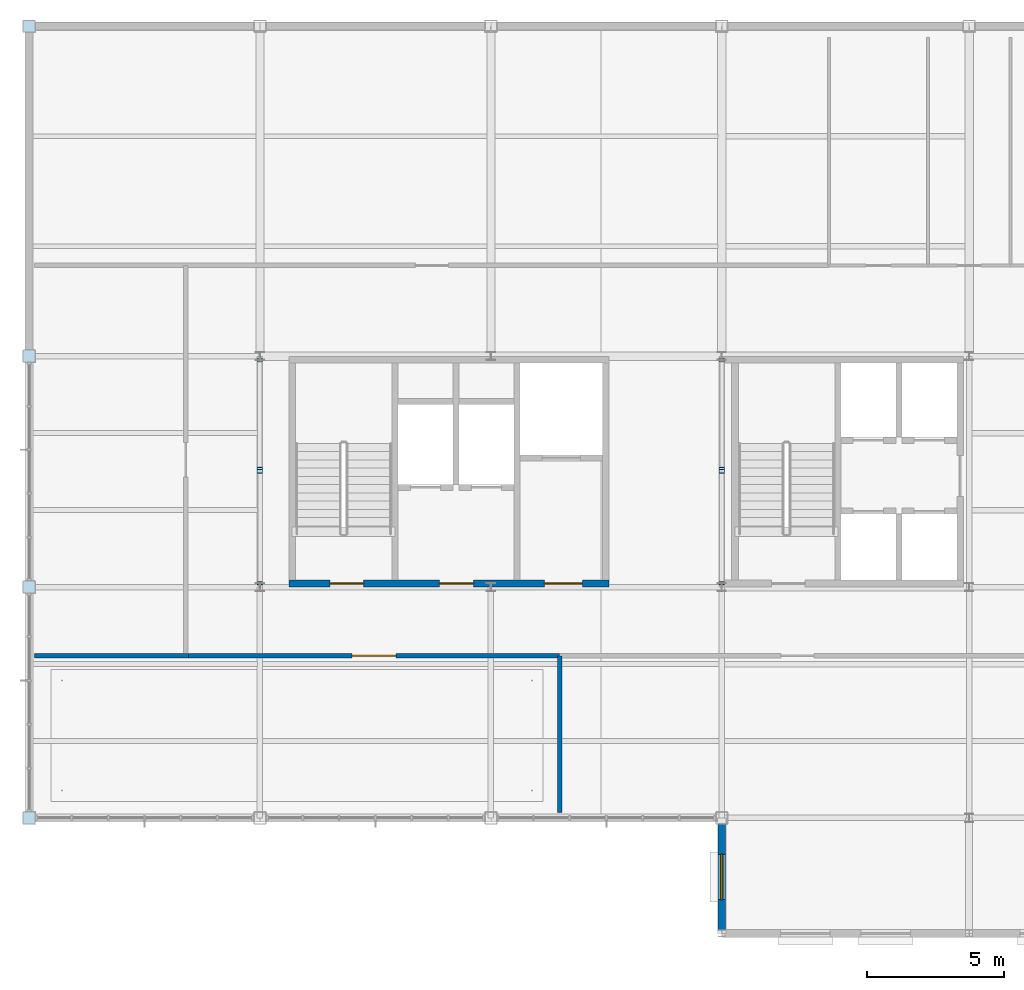
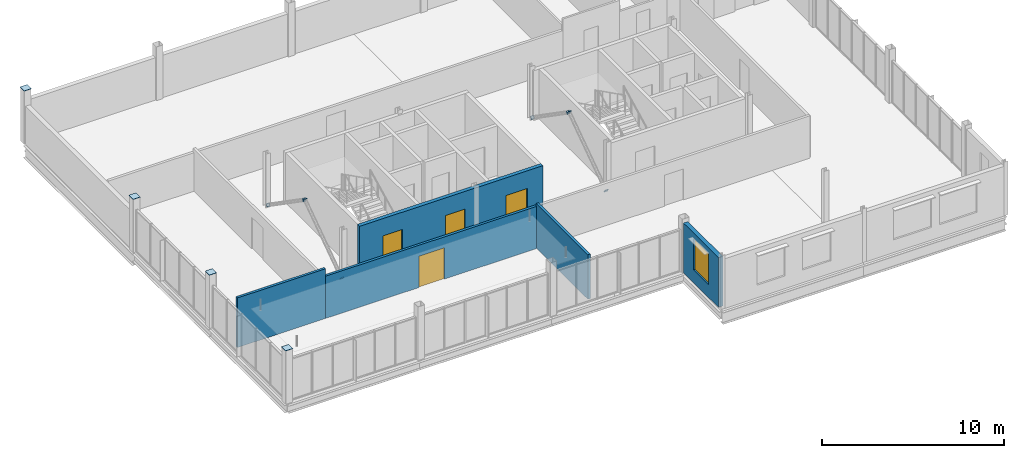
# One storey, part 13 of 19: 12 plates, 5 walls, 4 doors, 1 window, 5 openings.
"""IFC4 building model written with IfcOpenShell, lengths in metres."""

from ifc_helpers import new_model, si_unit, direction, frame, frame_2d, origin, origin_2d, place, context, subcontext, project, spatial, rectangle, extrude, material, layer, layer_set, type_object, element, fill, save


model = new_model("IFC4")

# Units and contexts
model_context = context("Model", 3, precision=1e-05, world=origin(), true_north=direction((0.0, 1.0)))
body_context = subcontext(model_context, "Body", "Model", "MODEL_VIEW")
ifc_project = project(units=[si_unit("LENGTHUNIT", "METRE"), si_unit("AREAUNIT", "SQUARE_METRE"), si_unit("VOLUMEUNIT", "CUBIC_METRE"), si_unit("PLANEANGLEUNIT", "RADIAN"), si_unit("MASSUNIT", "GRAM", prefix="KILO")], contexts=[model_context])

# Site, building, storey
site_placement = place(None, origin())
site = spatial("IfcSite", under=ifc_project, at=site_placement, CompositionType="ELEMENT")
building_placement = place(site_placement, origin())
building = spatial("IfcBuilding", under=site, at=building_placement, Name="Yukiwa Park Conservatory and Herbarium", CompositionType="ELEMENT")
storey_placement = place(building_placement, frame((0.0, 0.0, 46.800048828125)))
storey = spatial("IfcBuildingStorey", under=building, at=storey_placement, Name="L12", CompositionType="ELEMENT", Elevation=46.800048828125)

# Plates
ifc_material_1 = material(Name="Steel Q355D", Category="steel")
ifc_layer_1 = layer(ifc_material_1, 0.02392578125)
ifc_layer_set_1 = layer_set([ifc_layer_1], Name="Steel Q355D")
plate_type_1 = type_object("IfcPlateType", Name="PL-CAP-24", PredefinedType="USERDEFINED", material=ifc_layer_set_1)
for number, where, z_axis, x_axis, name in (
    (1, (124.800048828125, 86.39990234375, 3.575927734375), (0.0, 0.0, 1.0), (1.0, 0.0, 0.0), "Hollow section end cap plate CAP-COL-L12-V5-X1248-Y864"),
    (2, (124.800048828125, 94.800048828125, 3.575927734375), (0.0, 0.0, 1.0), (1.0, 0.0, 0.0), "Hollow section end cap plate CAP-COL-L12-V5-X1248-Y948"),
    (3, (124.800048828125, 103.199951171875, 3.575927734375), (0.0, 0.0, 1.0), (1.0, 0.0, 0.0), "Hollow section end cap plate CAP-COL-L12-V5-X1248-Y1032"),
    (4, (124.800048828125, 115.199951171875, 3.575927734375), (0.0, 0.0, 1.0), (1.0, 0.0, 0.0), "Hollow section end cap plate CAP-COL-L12-V5-X1248-Y1152"),
):
    element("IfcPlate", number, at=place(storey_placement, frame(where, z_axis=z_axis, x_axis=x_axis)), inside=storey, type_object=plate_type_1, Name=name, ObjectType="END CAP PLATE", PredefinedType="USERDEFINED", context=body_context, shape_type="SweptSolid", body=[
        extrude(rectangle(XDim=0.4580078125, YDim=0.4580078125, at=origin_2d()), origin(), (0.0, 0.0, 1.0), 0.02392578125),
    ])
ifc_material_2 = material(Name="Steel Q355D", Category="steel")
ifc_layer_2 = layer(ifc_material_2, 0.02392578125)
ifc_layer_set_2 = layer_set([ifc_layer_2], Name="Steel Q355D")
plate_type_2 = type_object("IfcPlateType", Name="PL-CAP-24-INT", PredefinedType="USERDEFINED", material=ifc_layer_set_2)
for number, where, z_axis, x_axis, name in (
    (5, (133.199951171875, 94.951904296875, 0.155029296875), (0.0, -0.827306252425, -0.561751159054), (1.0, 0.0, 0.0), "Hollow section end cap plate CAP-BR-L12-061A"),
    (6, (133.199951171875, 98.993408203125, 2.95849609375), (0.0, 0.822557603224, 0.56868179976), (-1.0, 0.0, 0.0), "Hollow section end cap plate CAP-BR-L12-061B"),
    (7, (133.199951171875, 103.048095703125, 0.155029296875), (0.0, 0.827306252425, -0.561751159054), (-1.0, 0.0, 0.0), "Hollow section end cap plate CAP-BR-L12-062A"),
    (8, (133.199951171875, 99.109375, 2.88720703125), (0.0, -0.822557603224, 0.56868179976), (1.0, 0.0, 0.0), "Hollow section end cap plate CAP-BR-L12-062B"),
    (9, (150.0, 94.951904296875, 0.155029296875), (0.0, -0.827306252425, -0.561751159054), (1.0, 0.0, 0.0), "Hollow section end cap plate CAP-BR-L12-063A"),
    (10, (150.0, 98.993408203125, 2.95849609375), (0.0, 0.822557603224, 0.56868179976), (-1.0, 0.0, 0.0), "Hollow section end cap plate CAP-BR-L12-063B"),
    (11, (150.0, 103.048095703125, 0.155029296875), (0.0, 0.827306252425, -0.561751159054), (-1.0, 0.0, 0.0), "Hollow section end cap plate CAP-BR-L12-064A"),
    (12, (150.0, 99.109375, 2.88720703125), (0.0, -0.822557603224, 0.56868179976), (1.0, 0.0, 0.0), "Hollow section end cap plate CAP-BR-L12-064B"),
):
    element("IfcPlate", number, at=place(storey_placement, frame(where, z_axis=z_axis, x_axis=x_axis)), inside=storey, type_object=plate_type_2, Name=name, ObjectType="END CAP PLATE", PredefinedType="USERDEFINED", context=body_context, shape_type="SweptSolid", body=[
        extrude(rectangle(XDim=0.20166015625, YDim=0.20166015625, at=origin_2d()), origin(), (0.0, 0.0, 1.0), 0.02392578125),
    ])

# Wall, openings, doors
ifc_material_3 = material(Name="Concrete C50", Category="concrete")
ifc_layer_3 = layer(ifc_material_3, 0.239990234375)
ifc_layer_set_3 = layer_set([ifc_layer_3], Name="Concrete C50")
wall_type_1 = type_object("IfcWallType", Name="WL-CORE-RC240", PredefinedType="SHEAR", material=ifc_layer_set_3)
wall_1_placement = place(storey_placement, frame((134.25, 94.929931640625, 0.0), z_axis=(0.0, 0.0, 1.0), x_axis=(1.0, 0.0, 0.0)))
wall_1 = element("IfcWall", 13, at=wall_1_placement, inside=storey, type_object=wall_type_1, Name="L12 core shear wall 703", PredefinedType="SHEAR", context=body_context, shape_type="SweptSolid", body=[
    extrude(rectangle(XDim=11.64990234375, YDim=0.239990234375, at=frame_2d((5.824951171875, 0.0))), origin(), (0.0, 0.0, 1.0), 3.337890625),
])
opening_1_placement = place(wall_1_placement, frame((1.5, 0.0, 0.0)))
opening_1 = element("IfcOpeningElement", 14, at=opening_1_placement, cuts=wall_1, Name="Opening SD-01", PredefinedType="OPENING", context=body_context, shape_type="SweptSolid", body=[
    extrude(rectangle(XDim=1.219970703125, YDim=2.179931640625, at=frame_2d((0.60986328125, 1.08984375))), frame((0.0, 0.1298828125, 0.0), z_axis=(0.0, -1.0, 0.0), x_axis=(1.0, 0.0, 0.0)), (0.0, 0.0, 1.0), 0.260009765625),
])
opening_2_placement = place(wall_1_placement, frame((5.47998046875, 0.0, 0.0)))
opening_2 = element("IfcOpeningElement", 15, at=opening_2_placement, cuts=wall_1, Name="Opening FD-02", PredefinedType="OPENING", context=body_context, shape_type="SweptSolid", body=[
    extrude(rectangle(XDim=1.239990234375, YDim=2.14990234375, at=frame_2d((0.6201171875, 1.074951171875))), frame((0.0, 0.1298828125, 0.0), z_axis=(0.0, -1.0, 0.0), x_axis=(1.0, 0.0, 0.0)), (0.0, 0.0, 1.0), 0.260009765625),
])
opening_3_placement = place(wall_1_placement, frame((9.300048828125, 0.0, 0.0)))
opening_3 = element("IfcOpeningElement", 16, at=opening_3_placement, cuts=wall_1, Name="Opening FD-06", PredefinedType="OPENING", context=body_context, shape_type="SweptSolid", body=[
    extrude(rectangle(XDim=1.3798828125, YDim=2.14990234375, at=frame_2d((0.68994140625, 1.074951171875))), frame((0.0, 0.1298828125, 0.0), z_axis=(0.0, -1.0, 0.0), x_axis=(1.0, 0.0, 0.0)), (0.0, 0.0, 1.0), 0.260009765625),
])
ifc_material_4 = material(Name="Steel Q235B", Category="steel")
door_type_1 = type_object("IfcDoorType", Name="DR-FIRE-FD60-1400", OperationType="DOUBLE_DOOR_SINGLE_SWING", PredefinedType="DOOR", material=ifc_material_4)
door_1_placement = place(opening_3_placement, frame((1.3798828125, 0.0, 0.0), z_axis=(0.0, 0.0, 1.0), x_axis=(-1.0, 0.0, 0.0)))
door_1 = element("IfcDoor", 17, at=door_1_placement, inside=storey, type_object=door_type_1, Name="L12 Goods Lift Lobby double fire door", OperationType="DOUBLE_DOOR_SINGLE_SWING", OverallHeight=2.14990234375, OverallWidth=1.3798828125, PredefinedType="DOOR", context=body_context, shape_type="SweptSolid", body=[
    extrude(rectangle(XDim=1.3798828125, YDim=2.14990234375, at=frame_2d((0.68994140625, 1.074951171875))), frame((0.0, 0.02490234375, 0.0), z_axis=(0.0, -1.0, 0.0), x_axis=(1.0, 0.0, 0.0)), (0.0, 0.0, 1.0), 0.050048828125),
])
fill(opening_3, door_1)
ifc_material_5 = material(Name="Steel Q235B", Category="steel")
door_type_2 = type_object("IfcDoorType", Name="DR-FIRE-FD90-1200", OperationType="SINGLE_SWING_RIGHT", PredefinedType="DOOR", material=ifc_material_5)
door_2_placement = place(opening_2_placement, frame((1.239990234375, 0.0, 0.0), z_axis=(0.0, 0.0, 1.0), x_axis=(-1.0, 0.0, 0.0)))
door_2 = element("IfcDoor", 18, at=door_2_placement, inside=storey, type_object=door_type_2, Name="L12 Firefighting Lift Lobby fire door", OperationType="SINGLE_SWING_RIGHT", OverallHeight=2.14990234375, OverallWidth=1.239990234375, PredefinedType="DOOR", context=body_context, shape_type="SweptSolid", body=[
    extrude(rectangle(XDim=1.239990234375, YDim=2.14990234375, at=frame_2d((0.6201171875, 1.074951171875))), frame((0.0, 0.02490234375, 0.0), z_axis=(0.0, -1.0, 0.0), x_axis=(1.0, 0.0, 0.0)), (0.0, 0.0, 1.0), 0.050048828125),
])
fill(opening_2, door_2)
ifc_material_6 = material(Name="Steel Q235B", Category="steel")
door_type_3 = type_object("IfcDoorType", Name="DR-STAIR-FD90-1200", OperationType="SINGLE_SWING_LEFT", PredefinedType="DOOR", material=ifc_material_6)
door_3_placement = place(opening_1_placement, origin())
door_3 = element("IfcDoor", 19, at=door_3_placement, inside=storey, type_object=door_type_3, Name="L12 Stairwell ST-T1 fire door", OperationType="SINGLE_SWING_LEFT", OverallHeight=2.179931640625, OverallWidth=1.219970703125, PredefinedType="DOOR", context=body_context, shape_type="SweptSolid", body=[
    extrude(rectangle(XDim=1.219970703125, YDim=2.179931640625, at=frame_2d((0.60986328125, 1.08984375))), frame((0.0, 0.02490234375, 0.0), z_axis=(0.0, -1.0, 0.0), x_axis=(1.0, 0.0, 0.0)), (0.0, 0.0, 1.0), 0.050048828125),
])
fill(opening_1, door_3)

# Wall, opening, window
ifc_material_7 = material(Name="Pale Granite Cladding", Category="masonry")
ifc_layer_4 = layer(ifc_material_7, 0.280029296875)
ifc_layer_set_4 = layer_set([ifc_layer_4], Name="Pale Granite Cladding")
wall_type_2 = type_object("IfcWallType", Name="WL-EXT-GRAN-280", PredefinedType="SOLIDWALL", material=ifc_layer_set_4)
wall_2_placement = place(storey_placement, frame((150.0, 86.175048828125, 0.0), z_axis=(0.0, 0.0, 1.0), x_axis=(0.0, -1.0, 0.0)))
wall_2 = element("IfcWall", 20, at=wall_2_placement, inside=storey, type_object=wall_type_2, Name="L12 exterior envelope wall 378", PredefinedType="SOLIDWALL", context=body_context, shape_type="SweptSolid", body=[
    extrude(rectangle(XDim=3.85009765625, YDim=0.280029296875, at=frame_2d((1.925048828125, 0.0))), origin(), (0.0, 0.0, 1.0), 3.337890625),
])
opening_4_placement = place(wall_2_placement, frame((1.10009765625, 0.0, 0.85009765625)))
opening_4 = element("IfcOpeningElement", 21, at=opening_4_placement, cuts=wall_2, Name="Opening W-06", PredefinedType="OPENING", context=body_context, shape_type="SweptSolid", body=[
    extrude(rectangle(XDim=1.64990234375, YDim=2.10009765625, at=frame_2d((0.824951171875, 1.050048828125))), frame((0.0, 0.14990234375, 0.0), z_axis=(0.0, -1.0, 0.0), x_axis=(1.0, 0.0, 0.0)), (0.0, 0.0, 1.0), 0.300048828125),
])
ifc_material_8 = material(Name="Triple Low-E Insulated Glass", Category="glass")
window_type = type_object("IfcWindowType", Name="WN-TW-1650X2100", PartitioningType="SINGLE_PANEL", PredefinedType="WINDOW", material=ifc_material_8)
window_placement = place(opening_4_placement, origin())
window = element("IfcWindow", 22, at=window_placement, inside=storey, type_object=window_type, Name="L12 deep-reveal triple-glazed window 284", OverallHeight=2.10009765625, OverallWidth=1.64990234375, PartitioningType="SINGLE_PANEL", PredefinedType="WINDOW", context=body_context, shape_type="SweptSolid", body=[
    extrude(rectangle(XDim=1.64990234375, YDim=2.10009765625, at=frame_2d((0.824951171875, 1.050048828125))), frame((0.0, 0.030029296875, 0.0), z_axis=(0.0, -1.0, 0.0), x_axis=(1.0, 0.0, 0.0)), (0.0, 0.0, 1.0), 0.06005859375),
])
fill(opening_4, window)

# Wall, opening, door
ifc_material_9 = material(Name="Gypsum Board Partition", Category="gypsum")
ifc_layer_5 = layer(ifc_material_9, 0.159912109375)
ifc_layer_set_5 = layer_set([ifc_layer_5], Name="Gypsum Board Partition")
wall_type_3 = type_object("IfcWallType", Name="WL-PART-GYP-160", PredefinedType="PARTITIONING", material=ifc_layer_set_5)
wall_3_placement = place(storey_placement, frame((130.60009765625, 92.300048828125, 0.0), z_axis=(0.0, 0.0, 1.0), x_axis=(1.0, 0.0, 0.0)))
wall_3 = element("IfcWall", 23, at=wall_3_placement, inside=storey, type_object=wall_type_3, Name="L12 interior partition wall 737", PredefinedType="PARTITIONING", context=body_context, shape_type="SweptSolid", body=[
    extrude(rectangle(XDim=13.5, YDim=0.159912109375, at=frame_2d((6.75, 0.0))), origin(), (0.0, 0.0, 1.0), 2.837890625),
])
opening_5_placement = place(wall_3_placement, frame((5.949951171875, 0.0, 0.0)))
opening_5 = element("IfcOpeningElement", 24, at=opening_5_placement, cuts=wall_3, Name="Opening GD-16", PredefinedType="OPENING", context=body_context, shape_type="SweptSolid", body=[
    extrude(rectangle(XDim=1.60009765625, YDim=2.10009765625, at=frame_2d((0.800048828125, 1.050048828125))), frame((0.0, 0.08984375, 0.0), z_axis=(0.0, -1.0, 0.0), x_axis=(1.0, 0.0, 0.0)), (0.0, 0.0, 1.0), 0.179931640625),
])
ifc_material_10 = material(Name="Laminated Tempered Safety Glass", Category="glass")
door_type_4 = type_object("IfcDoorType", Name="DR-GLZ-1600", OperationType="DOUBLE_DOOR_SINGLE_SWING", PredefinedType="DOOR", material=ifc_material_10)
door_4_placement = place(opening_5_placement, origin())
door_4 = element("IfcDoor", 25, at=door_4_placement, inside=storey, type_object=door_type_4, Name="L12 Botanical Library reading room door", OperationType="DOUBLE_DOOR_SINGLE_SWING", OverallHeight=2.10009765625, OverallWidth=1.60009765625, PredefinedType="DOOR", context=body_context, shape_type="SweptSolid", body=[
    extrude(rectangle(XDim=1.60009765625, YDim=2.10009765625, at=frame_2d((0.800048828125, 1.050048828125))), frame((0.0, 0.02490234375, 0.0), z_axis=(0.0, -1.0, 0.0), x_axis=(1.0, 0.0, 0.0)), (0.0, 0.0, 1.0), 0.050048828125),
])
fill(opening_5, door_4)

# Walls
wall_4_placement = place(storey_placement, frame((125.0, 92.300048828125, 0.0), z_axis=(0.0, 0.0, 1.0), x_axis=(1.0, 0.0, 0.0)))
element("IfcWall", 26, at=wall_4_placement, inside=storey, type_object=wall_type_3, Name="L12 interior partition wall 739", PredefinedType="PARTITIONING", context=body_context, shape_type="SweptSolid", body=[
    extrude(rectangle(XDim=5.60009765625, YDim=0.159912109375, at=frame_2d((2.800048828125, 0.0))), origin(), (0.0, 0.0, 1.0), 3.337890625),
])
wall_5_placement = place(storey_placement, frame((144.10009765625, 86.60009765625, 0.0), z_axis=(0.0, 0.0, 1.0), x_axis=(0.0, 1.0, 0.0)))
element("IfcWall", 27, at=wall_5_placement, inside=storey, type_object=wall_type_3, Name="L12 interior partition wall 740", PredefinedType="PARTITIONING", context=body_context, shape_type="SweptSolid", body=[
    extrude(rectangle(XDim=5.699951171875, YDim=0.159912109375, at=frame_2d((2.85009765625, 0.0))), origin(), (0.0, 0.0, 1.0), 2.988037109375),
])

save(model, "model.ifc")
